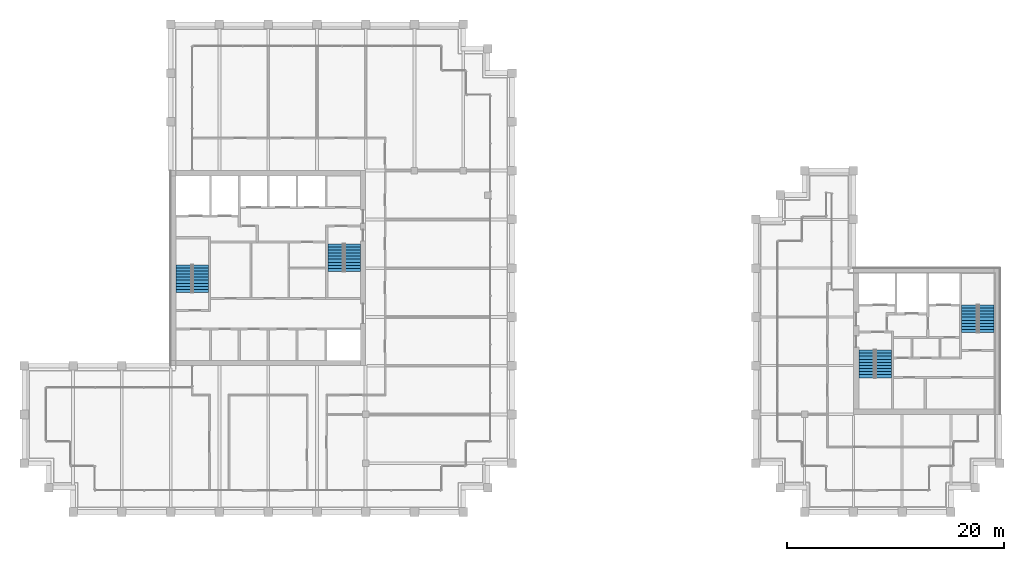
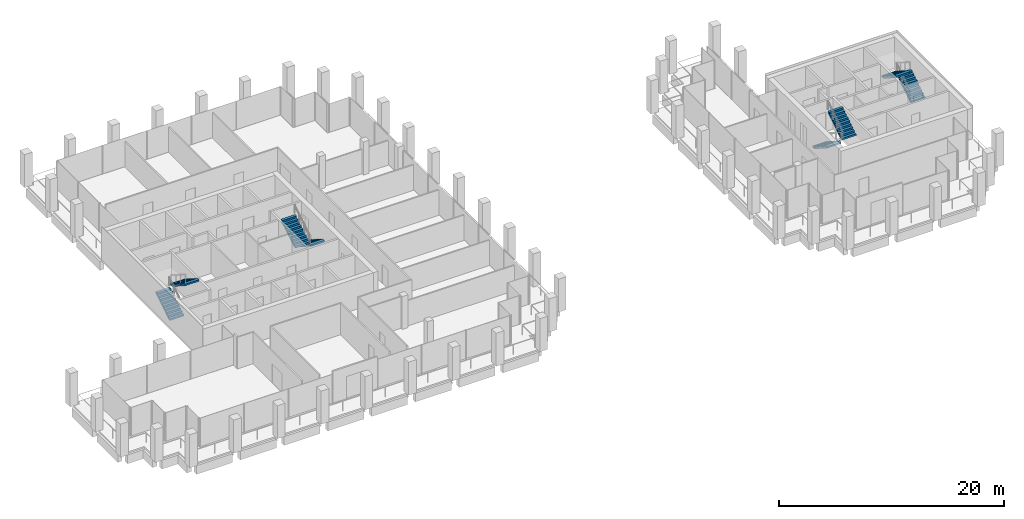
# One storey, part 39 of 41: 8 stair flights, 4 elements without a shape of their own.
"""IFC4 building model written with IfcOpenShell, lengths in metres."""

from ifc_helpers import new_model, si_unit, direction, frame, origin, place, context, subcontext, project, spatial, polyline, outline, extrude, material, type_object, element, aggregate, save


model = new_model("IFC4")

# Units and contexts
model_context = context("Model", 3, precision=1e-05, world=origin(), true_north=direction((0.0, 1.0)))
body_context = subcontext(model_context, "Body", "Model", "MODEL_VIEW")
ifc_project = project(units=[si_unit("LENGTHUNIT", "METRE"), si_unit("AREAUNIT", "SQUARE_METRE"), si_unit("VOLUMEUNIT", "CUBIC_METRE"), si_unit("PLANEANGLEUNIT", "RADIAN"), si_unit("MASSUNIT", "GRAM", prefix="KILO")], contexts=[model_context])

# Site, building, storey
site_placement = place(None, origin())
site = spatial("IfcSite", under=ifc_project, at=site_placement, CompositionType="ELEMENT")
building_placement = place(site_placement, origin())
building = spatial("IfcBuilding", under=site, at=building_placement, Name="Altepetl Exchange Towers", CompositionType="ELEMENT")
storey_placement = place(building_placement, frame((0.0, 0.0, 206.39990234375)))
storey = spatial("IfcBuildingStorey", under=building, at=storey_placement, Name="L52", CompositionType="ELEMENT", Elevation=206.39990234375)

# Stair, stair flights
ifc_material = material(Name="Concrete C40/50", Category="concrete")
stair_type = type_object("IfcStairType", Name="Exit stair 1450 flights dogleg", PredefinedType="HALF_TURN_STAIR", material=ifc_material)
stair_1_placement = place(storey_placement, origin())
stair_1 = element("IfcStair", 1, at=stair_1_placement, inside=storey, type_object=stair_type, Name="Exit stair 1", PredefinedType="HALF_TURN_STAIR")
stair_flight_type = type_object("IfcStairFlightType", Name="Stair flight 1450 wide", PredefinedType="STRAIGHT", material=ifc_material)
stair_flight_1_placement = place(storey_placement, frame((41.72509765625, 47.25, 0.0), z_axis=(0.0, 0.0, 1.0), x_axis=(0.0, 1.0, 0.0)))
stair_flight_1 = element("IfcStairFlight", 2, at=stair_flight_1_placement, type_object=stair_flight_type, Name="ST-A1f flight 1", NumberOfRisers=10, NumberOfTreads=9, PredefinedType="STRAIGHT", RiserHeight=0.18, TreadLength=0.285, context=body_context, shape_type="SweptSolid", body=[
    extrude(outline(polyline([(0.0, 0.0), (0.0, 0.179931640625), (0.284912109375, 0.179931640625), (0.284912109375, 0.360107421875), (0.570068359375, 0.360107421875), (0.570068359375, 0.5400390625), (0.85498046875, 0.5400390625), (0.85498046875, 0.719970703125), (1.139892578125, 0.719970703125), (1.139892578125, 0.89990234375), (1.425048828125, 0.89990234375), (1.425048828125, 1.080078125), (1.7099609375, 1.080078125), (1.7099609375, 1.260009765625), (1.9951171875, 1.260009765625), (1.9951171875, 1.43994140625), (2.280029296875, 1.43994140625), (2.280029296875, 1.6201171875), (2.56494140625, 1.6201171875), (2.56494140625, 1.800048828125), (2.56494140625, 1.442626953125), (0.28076171875, 0.0), (0.0, 0.0)])), frame((0.0, 0.72509765625, 0.0), z_axis=(0.0, -1.0, 0.0), x_axis=(1.0, 0.0, 0.0)), (0.0, 0.0, 1.0), 1.449951171875),
])
stair_flight_2_placement = place(storey_placement, frame((43.27490234375, 49.81494140625, 1.800048828125), z_axis=(0.0, 0.0, 1.0), x_axis=(0.0, -1.0, 0.0)))
stair_flight_2 = element("IfcStairFlight", 3, at=stair_flight_2_placement, type_object=stair_flight_type, Name="ST-A1f flight 2", NumberOfRisers=10, NumberOfTreads=9, PredefinedType="STRAIGHT", RiserHeight=0.18, TreadLength=0.285, context=body_context, shape_type="SweptSolid", body=[
    extrude(outline(polyline([(0.0, 0.0), (0.0, 0.179931640625), (0.284912109375, 0.179931640625), (0.284912109375, 0.360107421875), (0.570068359375, 0.360107421875), (0.570068359375, 0.5400390625), (0.85498046875, 0.5400390625), (0.85498046875, 0.719970703125), (1.139892578125, 0.719970703125), (1.139892578125, 0.89990234375), (1.425048828125, 0.89990234375), (1.425048828125, 1.080078125), (1.7099609375, 1.080078125), (1.7099609375, 1.260009765625), (1.9951171875, 1.260009765625), (1.9951171875, 1.43994140625), (2.280029296875, 1.43994140625), (2.280029296875, 1.6201171875), (2.56494140625, 1.6201171875), (2.56494140625, 1.800048828125), (2.56494140625, 1.442626953125), (0.28076171875, 0.0), (0.0, 0.0)])), frame((0.0, 0.72509765625, 0.0), z_axis=(0.0, -1.0, 0.0), x_axis=(1.0, 0.0, 0.0)), (0.0, 0.0, 1.0), 1.449951171875),
])
aggregate(stair_1, [stair_flight_1, stair_flight_2])

stair_2_placement = place(storey_placement, origin())
stair_2 = element("IfcStair", 4, at=stair_2_placement, inside=storey, type_object=stair_type, Name="Exit stair 2", PredefinedType="HALF_TURN_STAIR")
stair_flight_3_placement = place(storey_placement, frame((57.27490234375, 51.75, 0.0), z_axis=(0.0, 0.0, 1.0), x_axis=(0.0, -1.0, 0.0)))
stair_flight_3 = element("IfcStairFlight", 5, at=stair_flight_3_placement, type_object=stair_flight_type, Name="ST-A2f flight 1", NumberOfRisers=10, NumberOfTreads=9, PredefinedType="STRAIGHT", RiserHeight=0.18, TreadLength=0.285, context=body_context, shape_type="SweptSolid", body=[
    extrude(outline(polyline([(0.0, 0.0), (0.0, 0.179931640625), (0.284912109375, 0.179931640625), (0.284912109375, 0.360107421875), (0.570068359375, 0.360107421875), (0.570068359375, 0.5400390625), (0.85498046875, 0.5400390625), (0.85498046875, 0.719970703125), (1.139892578125, 0.719970703125), (1.139892578125, 0.89990234375), (1.425048828125, 0.89990234375), (1.425048828125, 1.080078125), (1.7099609375, 1.080078125), (1.7099609375, 1.260009765625), (1.9951171875, 1.260009765625), (1.9951171875, 1.43994140625), (2.280029296875, 1.43994140625), (2.280029296875, 1.6201171875), (2.56494140625, 1.6201171875), (2.56494140625, 1.800048828125), (2.56494140625, 1.442626953125), (0.28076171875, 0.0), (0.0, 0.0)])), frame((0.0, 0.72509765625, 0.0), z_axis=(0.0, -1.0, 0.0), x_axis=(1.0, 0.0, 0.0)), (0.0, 0.0, 1.0), 1.449951171875),
])
stair_flight_4_placement = place(storey_placement, frame((55.72509765625, 49.18505859375, 1.800048828125), z_axis=(0.0, 0.0, 1.0), x_axis=(0.0, 1.0, 0.0)))
stair_flight_4 = element("IfcStairFlight", 6, at=stair_flight_4_placement, type_object=stair_flight_type, Name="ST-A2f flight 2", NumberOfRisers=10, NumberOfTreads=9, PredefinedType="STRAIGHT", RiserHeight=0.18, TreadLength=0.285, context=body_context, shape_type="SweptSolid", body=[
    extrude(outline(polyline([(0.0, 0.0), (0.0, 0.179931640625), (0.284912109375, 0.179931640625), (0.284912109375, 0.360107421875), (0.570068359375, 0.360107421875), (0.570068359375, 0.5400390625), (0.85498046875, 0.5400390625), (0.85498046875, 0.719970703125), (1.139892578125, 0.719970703125), (1.139892578125, 0.89990234375), (1.425048828125, 0.89990234375), (1.425048828125, 1.080078125), (1.7099609375, 1.080078125), (1.7099609375, 1.260009765625), (1.9951171875, 1.260009765625), (1.9951171875, 1.43994140625), (2.280029296875, 1.43994140625), (2.280029296875, 1.6201171875), (2.56494140625, 1.6201171875), (2.56494140625, 1.800048828125), (2.56494140625, 1.442626953125), (0.28076171875, 0.0), (0.0, 0.0)])), frame((0.0, 0.72509765625, 0.0), z_axis=(0.0, -1.0, 0.0), x_axis=(1.0, 0.0, 0.0)), (0.0, 0.0, 1.0), 1.449951171875),
])
aggregate(stair_2, [stair_flight_3, stair_flight_4])

stair_3_placement = place(storey_placement, origin())
stair_3 = element("IfcStair", 7, at=stair_3_placement, inside=storey, type_object=stair_type, Name="Exit stair 1", PredefinedType="HALF_TURN_STAIR")
stair_flight_5_placement = place(storey_placement, frame((104.72509765625, 41.949951171875, 0.0), z_axis=(0.0, 0.0, 1.0), x_axis=(0.0, -1.0, 0.0)))
stair_flight_5 = element("IfcStairFlight", 8, at=stair_flight_5_placement, type_object=stair_flight_type, Name="ST-B1f flight 1", NumberOfRisers=10, NumberOfTreads=9, PredefinedType="STRAIGHT", RiserHeight=0.18, TreadLength=0.285, context=body_context, shape_type="SweptSolid", body=[
    extrude(outline(polyline([(0.0, 0.0), (0.0, 0.179931640625), (0.284912109375, 0.179931640625), (0.284912109375, 0.360107421875), (0.570068359375, 0.360107421875), (0.570068359375, 0.5400390625), (0.85498046875, 0.5400390625), (0.85498046875, 0.719970703125), (1.139892578125, 0.719970703125), (1.139892578125, 0.89990234375), (1.425048828125, 0.89990234375), (1.425048828125, 1.080078125), (1.7099609375, 1.080078125), (1.7099609375, 1.260009765625), (1.9951171875, 1.260009765625), (1.9951171875, 1.43994140625), (2.280029296875, 1.43994140625), (2.280029296875, 1.6201171875), (2.56494140625, 1.6201171875), (2.56494140625, 1.800048828125), (2.56494140625, 1.442626953125), (0.28076171875, 0.0), (0.0, 0.0)])), frame((0.0, 0.72509765625, 0.0), z_axis=(0.0, -1.0, 0.0), x_axis=(1.0, 0.0, 0.0)), (0.0, 0.0, 1.0), 1.449951171875),
])
stair_flight_6_placement = place(storey_placement, frame((106.27490234375, 39.385009765625, 1.800048828125), z_axis=(0.0, 0.0, 1.0), x_axis=(0.0, 1.0, 0.0)))
stair_flight_6 = element("IfcStairFlight", 9, at=stair_flight_6_placement, type_object=stair_flight_type, Name="ST-B1f flight 2", NumberOfRisers=10, NumberOfTreads=9, PredefinedType="STRAIGHT", RiserHeight=0.18, TreadLength=0.285, context=body_context, shape_type="SweptSolid", body=[
    extrude(outline(polyline([(0.0, 0.0), (0.0, 0.179931640625), (0.284912109375, 0.179931640625), (0.284912109375, 0.360107421875), (0.570068359375, 0.360107421875), (0.570068359375, 0.5400390625), (0.85498046875, 0.5400390625), (0.85498046875, 0.719970703125), (1.139892578125, 0.719970703125), (1.139892578125, 0.89990234375), (1.425048828125, 0.89990234375), (1.425048828125, 1.080078125), (1.7099609375, 1.080078125), (1.7099609375, 1.260009765625), (1.9951171875, 1.260009765625), (1.9951171875, 1.43994140625), (2.280029296875, 1.43994140625), (2.280029296875, 1.6201171875), (2.56494140625, 1.6201171875), (2.56494140625, 1.800048828125), (2.56494140625, 1.442626953125), (0.28076171875, 0.0), (0.0, 0.0)])), frame((0.0, 0.72509765625, 0.0), z_axis=(0.0, -1.0, 0.0), x_axis=(1.0, 0.0, 0.0)), (0.0, 0.0, 1.0), 1.449951171875),
])
aggregate(stair_3, [stair_flight_5, stair_flight_6])

stair_4_placement = place(storey_placement, origin())
stair_4 = element("IfcStair", 10, at=stair_4_placement, inside=storey, type_object=stair_type, Name="Exit stair 2", PredefinedType="HALF_TURN_STAIR")
stair_flight_7_placement = place(storey_placement, frame((115.77490234375, 43.550048828125, 0.0), z_axis=(0.0, 0.0, 1.0), x_axis=(0.0, 1.0, 0.0)))
stair_flight_7 = element("IfcStairFlight", 11, at=stair_flight_7_placement, type_object=stair_flight_type, Name="ST-B2f flight 1", NumberOfRisers=10, NumberOfTreads=9, PredefinedType="STRAIGHT", RiserHeight=0.18, TreadLength=0.285, context=body_context, shape_type="SweptSolid", body=[
    extrude(outline(polyline([(0.0, 0.0), (0.0, 0.179931640625), (0.284912109375, 0.179931640625), (0.284912109375, 0.360107421875), (0.570068359375, 0.360107421875), (0.570068359375, 0.5400390625), (0.85498046875, 0.5400390625), (0.85498046875, 0.719970703125), (1.139892578125, 0.719970703125), (1.139892578125, 0.89990234375), (1.425048828125, 0.89990234375), (1.425048828125, 1.080078125), (1.7099609375, 1.080078125), (1.7099609375, 1.260009765625), (1.9951171875, 1.260009765625), (1.9951171875, 1.43994140625), (2.280029296875, 1.43994140625), (2.280029296875, 1.6201171875), (2.56494140625, 1.6201171875), (2.56494140625, 1.800048828125), (2.56494140625, 1.442626953125), (0.28076171875, 0.0), (0.0, 0.0)])), frame((0.0, 0.72509765625, 0.0), z_axis=(0.0, -1.0, 0.0), x_axis=(1.0, 0.0, 0.0)), (0.0, 0.0, 1.0), 1.449951171875),
])
stair_flight_8_placement = place(storey_placement, frame((114.22509765625, 46.114990234375, 1.800048828125), z_axis=(0.0, 0.0, 1.0), x_axis=(0.0, -1.0, 0.0)))
stair_flight_8 = element("IfcStairFlight", 12, at=stair_flight_8_placement, type_object=stair_flight_type, Name="ST-B2f flight 2", NumberOfRisers=10, NumberOfTreads=9, PredefinedType="STRAIGHT", RiserHeight=0.18, TreadLength=0.285, context=body_context, shape_type="SweptSolid", body=[
    extrude(outline(polyline([(0.0, 0.0), (0.0, 0.179931640625), (0.284912109375, 0.179931640625), (0.284912109375, 0.360107421875), (0.570068359375, 0.360107421875), (0.570068359375, 0.5400390625), (0.85498046875, 0.5400390625), (0.85498046875, 0.719970703125), (1.139892578125, 0.719970703125), (1.139892578125, 0.89990234375), (1.425048828125, 0.89990234375), (1.425048828125, 1.080078125), (1.7099609375, 1.080078125), (1.7099609375, 1.260009765625), (1.9951171875, 1.260009765625), (1.9951171875, 1.43994140625), (2.280029296875, 1.43994140625), (2.280029296875, 1.6201171875), (2.56494140625, 1.6201171875), (2.56494140625, 1.800048828125), (2.56494140625, 1.442626953125), (0.28076171875, 0.0), (0.0, 0.0)])), frame((0.0, 0.72509765625, 0.0), z_axis=(0.0, -1.0, 0.0), x_axis=(1.0, 0.0, 0.0)), (0.0, 0.0, 1.0), 1.449951171875),
])
aggregate(stair_4, [stair_flight_7, stair_flight_8])

save(model, "model.ifc")
